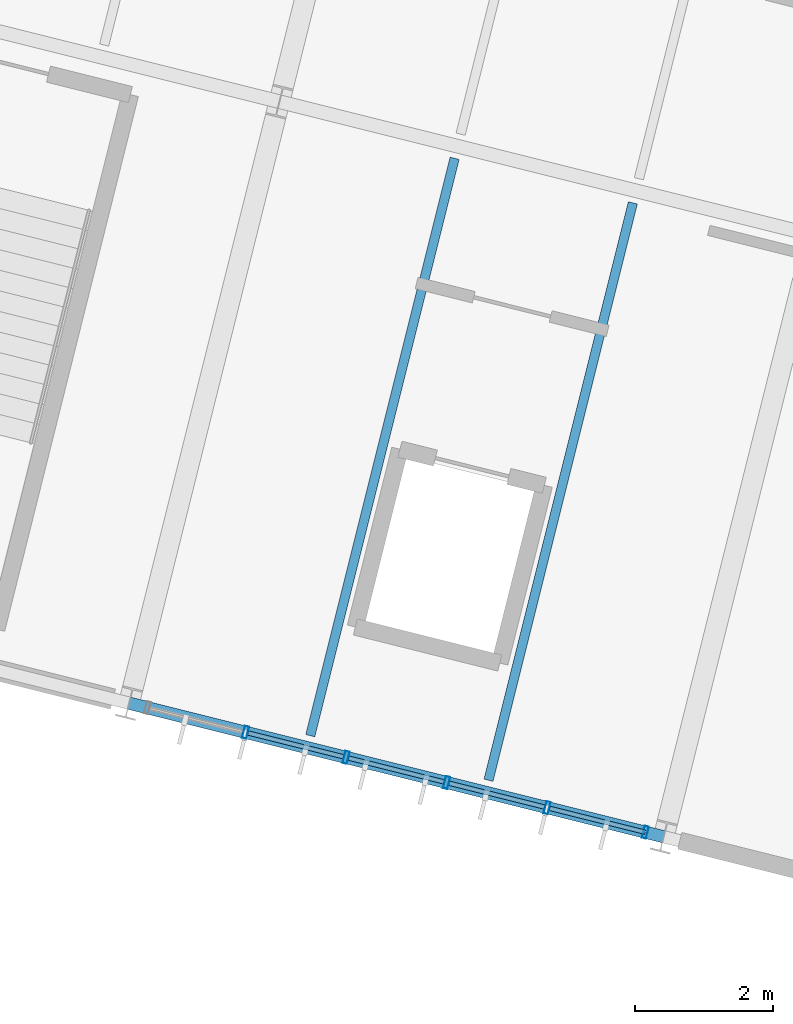
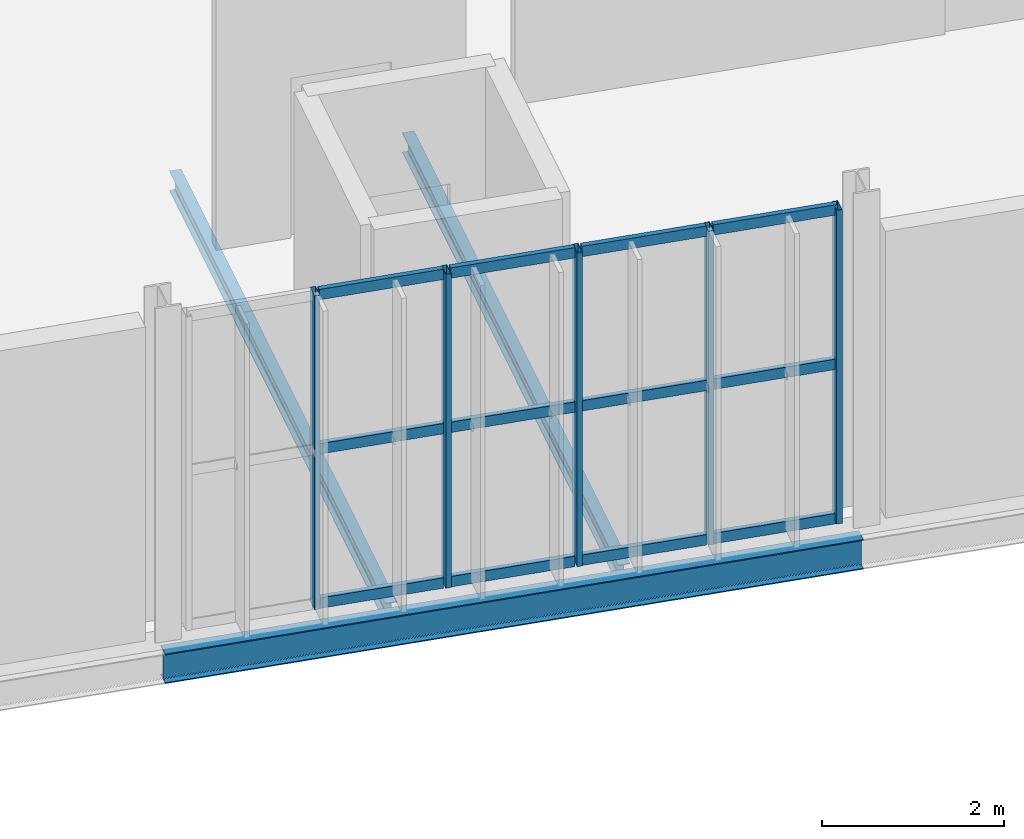
# One storey, part 79 of 152: 17 members, 3 beams, 1 element without a shape of its own.
"""IFC4 building model written with IfcOpenShell, lengths in metres."""

from ifc_helpers import new_model, si_unit, derived_unit, direction, frame, origin, origin_2d, place, context, subcontext, project, spatial, hollow_rectangle, i_section, extrude, material, material_profile, profile_set, type_object, element, aggregate, save


model = new_model("IFC4")

# Units and contexts
model_context = context("Model", 3, precision=1e-05, world=origin(), true_north=direction((0.0, 1.0)))
body_context = subcontext(model_context, "Body", "Model", "MODEL_VIEW")
ifc_project = project(units=[si_unit("LENGTHUNIT", "METRE"), si_unit("AREAUNIT", "SQUARE_METRE"), si_unit("VOLUMEUNIT", "CUBIC_METRE"), si_unit("PLANEANGLEUNIT", "RADIAN"), si_unit("MASSUNIT", "GRAM", prefix="KILO"), si_unit("THERMODYNAMICTEMPERATUREUNIT", "KELVIN"), si_unit("TIMEUNIT", "SECOND"), derived_unit("THERMALTRANSMITTANCEUNIT", [(si_unit("MASSUNIT", "GRAM", prefix="KILO"), 1), (si_unit("THERMODYNAMICTEMPERATUREUNIT", "KELVIN"), -1), (si_unit("TIMEUNIT", "SECOND"), -3)])], contexts=[model_context])

# Site, building, storey
site_placement = place(None, origin())
site = spatial("IfcSite", under=ifc_project, at=site_placement, CompositionType="ELEMENT")
building_placement = place(site_placement, origin())
building = spatial("IfcBuilding", under=site, at=building_placement, Name="Cambertide Market Hall", CompositionType="ELEMENT")
storey_placement = place(building_placement, frame((0.0, 0.0, 5.39990234375)))
storey = spatial("IfcBuildingStorey", under=building, at=storey_placement, Name="L02", CompositionType="ELEMENT", Elevation=5.39990234375)

# Curtain wall, members
ifc_material_1 = material(Name="Marine Anodized Aluminium 6063-T6 AA25", Category="aluminium")
curtain_wall_type = type_object("IfcCurtainWallType", Name="Cooking School Classroom Curtain Wall", PredefinedType="USERDEFINED", material=ifc_material_1)
curtain_wall_placement = place(storey_placement, origin())
curtain_wall = element("IfcCurtainWall", 1, at=curtain_wall_placement, inside=storey, type_object=curtain_wall_type, Name="Level 2 Curtain Wall CW-V4S-L02-3", ObjectType="UNITIZED CURTAIN WALL", PredefinedType="USERDEFINED")
ifc_material_2 = material(Name="Champagne Marine Anodized Aluminium 6063-T6 AA25", Category="aluminium")
ifc_material_profile_1 = material_profile(ifc_material_2, hollow_rectangle(XDim=0.06494140625, YDim=0.179931640625, WallThickness=0.00390625, at=origin_2d()), Name="ALU MULLION 65x180")
ifc_profile_set_1 = profile_set([ifc_material_profile_1], Name="Champagne Marine Anodized Aluminium 6063-T6 AA25")
member_type_1 = type_object("IfcMemberType", Name="Curtain Wall Mullion ALU MULLION 65x180", PredefinedType="MULLION", material=ifc_profile_set_1)
member_1_placement = place(storey_placement, frame((131.0166015625, 94.245849609375, 0.0), z_axis=(0.0, 0.0, 1.0), x_axis=(-0.970142531436, 0.242535499875, 0.0)))
member_1 = element("IfcMember", 2, at=member_1_placement, type_object=member_type_1, Name="CW-V4S-L02-3 Mullion 1", PredefinedType="MULLION", context=body_context, shape_type="SweptSolid", body=[
    extrude(hollow_rectangle(XDim=0.06494140625, YDim=0.179931640625, WallThickness=0.00390625, at=origin_2d()), origin(), (0.0, 0.0, 1.0), 4.22021484375),
])
member_2_placement = place(storey_placement, frame((129.591552734375, 94.60205078125, 0.0), z_axis=(0.0, 0.0, 1.0), x_axis=(-0.970142531436, 0.242535499875, 0.0)))
member_2 = element("IfcMember", 3, at=member_2_placement, type_object=member_type_1, Name="CW-V4S-L02-3 Mullion 2", PredefinedType="MULLION", context=body_context, shape_type="SweptSolid", body=[
    extrude(hollow_rectangle(XDim=0.06494140625, YDim=0.179931640625, WallThickness=0.00390625, at=origin_2d()), origin(), (0.0, 0.0, 1.0), 4.22021484375),
])
member_3_placement = place(storey_placement, frame((128.13232421875, 94.966796875, 0.0), z_axis=(0.0, 0.0, 1.0), x_axis=(-0.970142531436, 0.242535499875, 0.0)))
member_3 = element("IfcMember", 4, at=member_3_placement, type_object=member_type_1, Name="CW-V4S-L02-3 Mullion 3", PredefinedType="MULLION", context=body_context, shape_type="SweptSolid", body=[
    extrude(hollow_rectangle(XDim=0.06494140625, YDim=0.179931640625, WallThickness=0.00390625, at=origin_2d()), origin(), (0.0, 0.0, 1.0), 4.22021484375),
])
member_4_placement = place(storey_placement, frame((126.67333984375, 95.331787109375, 0.0), z_axis=(0.0, 0.0, 1.0), x_axis=(-0.970142531436, 0.242535499875, 0.0)))
member_4 = element("IfcMember", 5, at=member_4_placement, type_object=member_type_1, Name="CW-V4S-L02-3 Mullion 4", PredefinedType="MULLION", context=body_context, shape_type="SweptSolid", body=[
    extrude(hollow_rectangle(XDim=0.06494140625, YDim=0.179931640625, WallThickness=0.00390625, at=origin_2d()), origin(), (0.0, 0.0, 1.0), 4.22021484375),
])
member_5_placement = place(storey_placement, frame((125.214111328125, 95.696533203125, 0.0), z_axis=(0.0, 0.0, 1.0), x_axis=(-0.970142531436, 0.242535499875, 0.0)))
member_5 = element("IfcMember", 6, at=member_5_placement, type_object=member_type_1, Name="CW-V4S-L02-3 Mullion 5", PredefinedType="MULLION", context=body_context, shape_type="SweptSolid", body=[
    extrude(hollow_rectangle(XDim=0.06494140625, YDim=0.179931640625, WallThickness=0.00390625, at=origin_2d()), origin(), (0.0, 0.0, 1.0), 4.22021484375),
])
ifc_material_3 = material(Name="Champagne Marine Anodized Aluminium 6063-T6 AA25", Category="aluminium")
ifc_material_profile_2 = material_profile(ifc_material_3, hollow_rectangle(XDim=0.06494140625, YDim=0.139892578125, WallThickness=0.00341796875, at=origin_2d()), Name="ALU TRANSOM 65x140")
ifc_profile_set_2 = profile_set([ifc_material_profile_2], Name="Champagne Marine Anodized Aluminium 6063-T6 AA25")
member_type_2 = type_object("IfcMemberType", Name="Curtain Wall Transom ALU TRANSOM 65x140", PredefinedType="USERDEFINED", material=ifc_profile_set_2)
member_6_placement = place(storey_placement, frame((131.01171875, 94.2470703125, 0.03515625), z_axis=(-0.970122324991, 0.242616311393, 0.0), x_axis=(-0.242616311393, -0.970122324991, 0.0)))
member_6 = element("IfcMember", 7, at=member_6_placement, type_object=member_type_2, Name="CW-V4S-L02-3 Transom 1-1", ObjectType="TRANSOM", PredefinedType="USERDEFINED", context=body_context, shape_type="SweptSolid", body=[
    extrude(hollow_rectangle(XDim=0.06494140625, YDim=0.139892578125, WallThickness=0.00341796875, at=origin_2d()), origin(), (0.0, 0.0, 1.0), 1.423828125),
])
member_7_placement = place(storey_placement, frame((129.552734375, 94.61181640625, 0.03515625), z_axis=(-0.970132415085, 0.242575961715, 0.0), x_axis=(-0.242575961715, -0.970132415085, 0.0)))
member_7 = element("IfcMember", 8, at=member_7_placement, type_object=member_type_2, Name="CW-V4S-L02-3 Transom 1-2", ObjectType="TRANSOM", PredefinedType="USERDEFINED", context=body_context, shape_type="SweptSolid", body=[
    extrude(hollow_rectangle(XDim=0.06494140625, YDim=0.139892578125, WallThickness=0.00341796875, at=origin_2d()), origin(), (0.0, 0.0, 1.0), 1.424072265625),
])
member_8_placement = place(storey_placement, frame((128.093505859375, 94.9765625, 0.03515625), z_axis=(-0.970122324991, 0.242616311393, 0.0), x_axis=(-0.242616311393, -0.970122324991, 0.0)))
member_8 = element("IfcMember", 9, at=member_8_placement, type_object=member_type_2, Name="CW-V4S-L02-3 Transom 1-3", ObjectType="TRANSOM", PredefinedType="USERDEFINED", context=body_context, shape_type="SweptSolid", body=[
    extrude(hollow_rectangle(XDim=0.06494140625, YDim=0.139892578125, WallThickness=0.00341796875, at=origin_2d()), origin(), (0.0, 0.0, 1.0), 1.423828125),
])
member_9_placement = place(storey_placement, frame((126.634521484375, 95.34130859375, 0.03515625), z_axis=(-0.970132415085, 0.242575961715, 0.0), x_axis=(-0.242575961715, -0.970132415085, 0.0)))
member_9 = element("IfcMember", 10, at=member_9_placement, type_object=member_type_2, Name="CW-V4S-L02-3 Transom 1-4", ObjectType="TRANSOM", PredefinedType="USERDEFINED", context=body_context, shape_type="SweptSolid", body=[
    extrude(hollow_rectangle(XDim=0.06494140625, YDim=0.139892578125, WallThickness=0.00341796875, at=origin_2d()), origin(), (0.0, 0.0, 1.0), 1.424072265625),
])
member_10_placement = place(storey_placement, frame((131.01171875, 94.2470703125, 2.110107421875), z_axis=(-0.970122324991, 0.242616311393, 0.0), x_axis=(-0.242616311393, -0.970122324991, 0.0)))
member_10 = element("IfcMember", 11, at=member_10_placement, type_object=member_type_2, Name="CW-V4S-L02-3 Transom 2-1", ObjectType="TRANSOM", PredefinedType="USERDEFINED", context=body_context, shape_type="SweptSolid", body=[
    extrude(hollow_rectangle(XDim=0.06494140625, YDim=0.139892578125, WallThickness=0.00341796875, at=origin_2d()), origin(), (0.0, 0.0, 1.0), 1.423828125),
])
member_11_placement = place(storey_placement, frame((129.552734375, 94.61181640625, 2.110107421875), z_axis=(-0.970132415085, 0.242575961715, 0.0), x_axis=(-0.242575961715, -0.970132415085, 0.0)))
member_11 = element("IfcMember", 12, at=member_11_placement, type_object=member_type_2, Name="CW-V4S-L02-3 Transom 2-2", ObjectType="TRANSOM", PredefinedType="USERDEFINED", context=body_context, shape_type="SweptSolid", body=[
    extrude(hollow_rectangle(XDim=0.06494140625, YDim=0.139892578125, WallThickness=0.00341796875, at=origin_2d()), origin(), (0.0, 0.0, 1.0), 1.424072265625),
])
member_12_placement = place(storey_placement, frame((128.093505859375, 94.9765625, 2.110107421875), z_axis=(-0.970122324991, 0.242616311393, 0.0), x_axis=(-0.242616311393, -0.970122324991, 0.0)))
member_12 = element("IfcMember", 13, at=member_12_placement, type_object=member_type_2, Name="CW-V4S-L02-3 Transom 2-3", ObjectType="TRANSOM", PredefinedType="USERDEFINED", context=body_context, shape_type="SweptSolid", body=[
    extrude(hollow_rectangle(XDim=0.06494140625, YDim=0.139892578125, WallThickness=0.00341796875, at=origin_2d()), origin(), (0.0, 0.0, 1.0), 1.423828125),
])
member_13_placement = place(storey_placement, frame((126.634521484375, 95.34130859375, 2.110107421875), z_axis=(-0.970132415085, 0.242575961715, 0.0), x_axis=(-0.242575961715, -0.970132415085, 0.0)))
member_13 = element("IfcMember", 14, at=member_13_placement, type_object=member_type_2, Name="CW-V4S-L02-3 Transom 2-4", ObjectType="TRANSOM", PredefinedType="USERDEFINED", context=body_context, shape_type="SweptSolid", body=[
    extrude(hollow_rectangle(XDim=0.06494140625, YDim=0.139892578125, WallThickness=0.00341796875, at=origin_2d()), origin(), (0.0, 0.0, 1.0), 1.424072265625),
])
member_14_placement = place(storey_placement, frame((131.01171875, 94.2470703125, 4.18505859375), z_axis=(-0.970122324991, 0.242616311393, 0.0), x_axis=(-0.242616311393, -0.970122324991, 0.0)))
member_14 = element("IfcMember", 15, at=member_14_placement, type_object=member_type_2, Name="CW-V4S-L02-3 Transom 3-1", ObjectType="TRANSOM", PredefinedType="USERDEFINED", context=body_context, shape_type="SweptSolid", body=[
    extrude(hollow_rectangle(XDim=0.06494140625, YDim=0.139892578125, WallThickness=0.00341796875, at=origin_2d()), origin(), (0.0, 0.0, 1.0), 1.423828125),
])
member_15_placement = place(storey_placement, frame((129.552734375, 94.61181640625, 4.18505859375), z_axis=(-0.970132415085, 0.242575961715, 0.0), x_axis=(-0.242575961715, -0.970132415085, 0.0)))
member_15 = element("IfcMember", 16, at=member_15_placement, type_object=member_type_2, Name="CW-V4S-L02-3 Transom 3-2", ObjectType="TRANSOM", PredefinedType="USERDEFINED", context=body_context, shape_type="SweptSolid", body=[
    extrude(hollow_rectangle(XDim=0.06494140625, YDim=0.139892578125, WallThickness=0.00341796875, at=origin_2d()), origin(), (0.0, 0.0, 1.0), 1.424072265625),
])
member_16_placement = place(storey_placement, frame((128.093505859375, 94.9765625, 4.18505859375), z_axis=(-0.970122324991, 0.242616311393, 0.0), x_axis=(-0.242616311393, -0.970122324991, 0.0)))
member_16 = element("IfcMember", 17, at=member_16_placement, type_object=member_type_2, Name="CW-V4S-L02-3 Transom 3-3", ObjectType="TRANSOM", PredefinedType="USERDEFINED", context=body_context, shape_type="SweptSolid", body=[
    extrude(hollow_rectangle(XDim=0.06494140625, YDim=0.139892578125, WallThickness=0.00341796875, at=origin_2d()), origin(), (0.0, 0.0, 1.0), 1.423828125),
])
member_17_placement = place(storey_placement, frame((126.634521484375, 95.34130859375, 4.18505859375), z_axis=(-0.970132415085, 0.242575961715, 0.0), x_axis=(-0.242575961715, -0.970132415085, 0.0)))
member_17 = element("IfcMember", 18, at=member_17_placement, type_object=member_type_2, Name="CW-V4S-L02-3 Transom 3-4", ObjectType="TRANSOM", PredefinedType="USERDEFINED", context=body_context, shape_type="SweptSolid", body=[
    extrude(hollow_rectangle(XDim=0.06494140625, YDim=0.139892578125, WallThickness=0.00341796875, at=origin_2d()), origin(), (0.0, 0.0, 1.0), 1.424072265625),
])
aggregate(curtain_wall, [member_1, member_2, member_3, member_4, member_5, member_6, member_7, member_8, member_9, member_10, member_11, member_12, member_13, member_14, member_15, member_16, member_17])

# Beams
ifc_material_4 = material(Name="Steel S355", Category="steel")
ifc_material_profile_3 = material_profile(ifc_material_4, i_section(OverallWidth=0.179931640625, OverallDepth=0.39990234375, WebThickness=0.008544921875, FlangeThickness=0.013427734375, FilletRadius=0.02099609375, at=origin_2d()), Name="IPE 400")
ifc_profile_set_3 = profile_set([ifc_material_profile_3], Name="Steel S355")
beam_type_1 = type_object("IfcBeamType", Name="Perimeter Spandrel Beam IPE 400", PredefinedType="SPANDREL", material=ifc_profile_set_3)
beam_placement = place(storey_placement, frame((123.522216796875, 96.119384765625, -0.46484375), z_axis=(0.970146090314, -0.242521263911, 0.0), x_axis=(0.242521263911, 0.970146090314, 0.0)))
element("IfcBeam", 19, at=beam_placement, inside=storey, type_object=beam_type_1, Name="Level 2 Spandrel BM-V4U-L02-3-1", PredefinedType="SPANDREL", context=body_context, shape_type="SweptSolid", body=[
    extrude(i_section(OverallWidth=0.179931640625, OverallDepth=0.39990234375, WebThickness=0.008544921875, FlangeThickness=0.013427734375, FilletRadius=0.02099609375, at=origin_2d()), origin(), (0.0, 0.0, 1.0), 8.0),
])
ifc_material_5 = material(Name="Steel S275", Category="steel")
ifc_material_profile_4 = material_profile(ifc_material_5, i_section(OverallWidth=0.135009765625, OverallDepth=0.27001953125, WebThickness=0.006591796875, FlangeThickness=0.01025390625, FilletRadius=0.014892578125, at=origin_2d()), Name="IPE 270")
ifc_profile_set_4 = profile_set([ifc_material_profile_4], Name="Steel S275")
beam_type_2 = type_object("IfcBeamType", Name="Steel Secondary Joist IPE 270", PredefinedType="JOIST", material=ifc_profile_set_4)
for number, where, z_axis, x_axis, name in (
    (20, (126.153076171875, 95.647216796875, -0.39990234375), (0.242528976348, 0.970144162293, 0.0), (-0.970144162293, 0.242528976348, 0.0), "Level 2 Joist JS-V4-L02-3-1-1"),
    (21, (128.739990234375, 95.00048828125, -0.39990234375), (0.242528976348, 0.970144162293, 0.0), (-0.970144162293, 0.242528976348, 0.0), "Level 2 Joist JS-V4-L02-3-1-2"),
):
    element("IfcBeam", number, at=place(storey_placement, frame(where, z_axis=z_axis, x_axis=x_axis)), inside=storey, type_object=beam_type_2, Name=name, PredefinedType="JOIST", context=body_context, shape_type="SweptSolid", body=[
        extrude(i_section(OverallWidth=0.135009765625, OverallDepth=0.27001953125, WebThickness=0.006591796875, FlangeThickness=0.01025390625, FilletRadius=0.014892578125, at=origin_2d()), origin(), (0.0, 0.0, 1.0), 8.64013671875),
    ])

save(model, "model.ifc")
